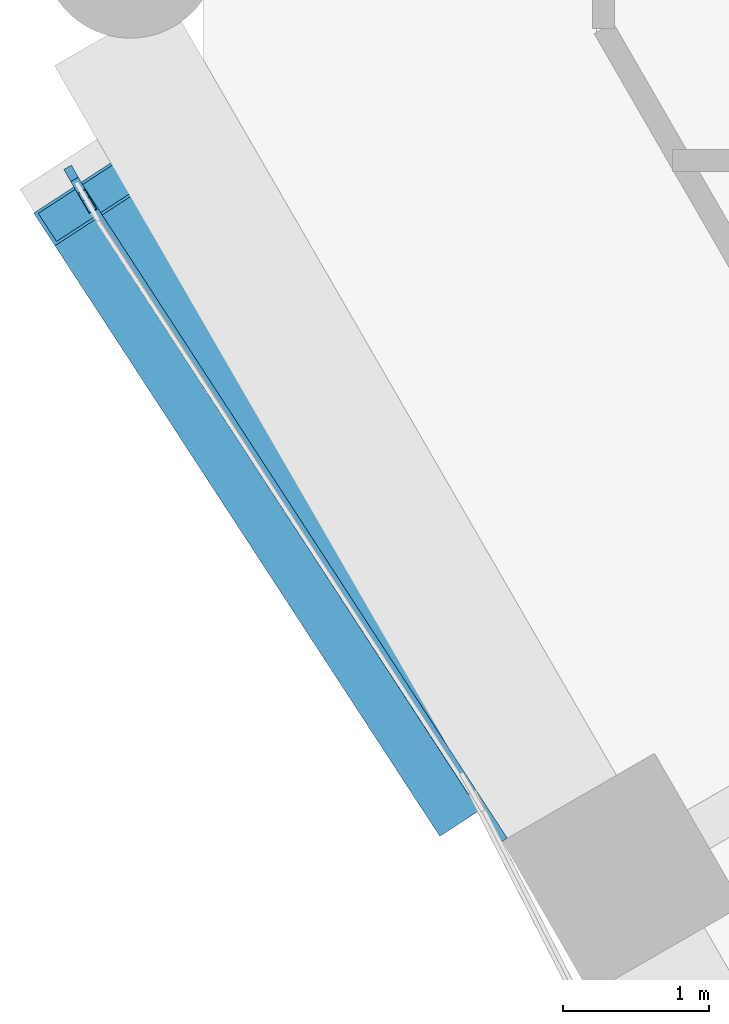
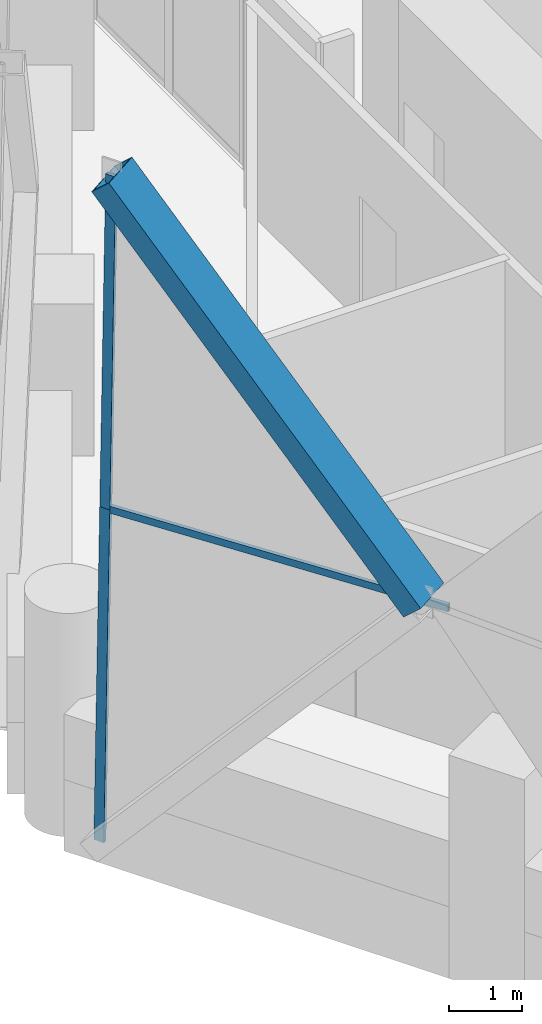
# One storey, part 11 of 38: 4 members, 2 elements without a shape of their own.
"""IFC4 building model written with IfcOpenShell, lengths in metres."""

from ifc_helpers import new_model, si_unit, direction, frame, origin, origin_2d, place, context, subcontext, project, spatial, hollow_rectangle, extrude, material, material_profile, profile_set, type_object, element, aggregate, save


model = new_model("IFC4")

# Units and contexts
model_context = context("Model", 3, precision=1e-05, world=origin(), true_north=direction((0.0, 1.0)))
body_context = subcontext(model_context, "Body", "Model", "MODEL_VIEW")
ifc_project = project(units=[si_unit("LENGTHUNIT", "METRE"), si_unit("AREAUNIT", "SQUARE_METRE"), si_unit("VOLUMEUNIT", "CUBIC_METRE"), si_unit("PLANEANGLEUNIT", "RADIAN"), si_unit("MASSUNIT", "GRAM", prefix="KILO")], contexts=[model_context])

# Site, building, storey
site_placement = place(None, origin())
site = spatial("IfcSite", under=ifc_project, at=site_placement, CompositionType="ELEMENT")
building_placement = place(site_placement, origin())
building = spatial("IfcBuilding", under=site, at=building_placement, Name="Ostrander Bayou Hotel Tower", CompositionType="ELEMENT")
storey_placement = place(building_placement, frame((0.0, 0.0, 96.75)))
storey = spatial("IfcBuildingStorey", under=building, at=storey_placement, Name="L24", CompositionType="ELEMENT", Elevation=96.75)

# Curtain wall, members
ifc_material_1 = material(Name="Aluminium and clear glass", Category="aluminium")
curtain_wall_type = type_object("IfcCurtainWallType", Name="CW-LAT lattice glazing", PredefinedType="NOTDEFINED", material=ifc_material_1)
curtain_wall_1_placement = place(storey_placement, origin())
curtain_wall_1 = element("IfcCurtainWall", 1, at=curtain_wall_1_placement, inside=storey, type_object=curtain_wall_type, Name="CW-LAT L24 SW 1", PredefinedType="NOTDEFINED")
ifc_material_2 = material(Name="Aluminium", Category="aluminium")
ifc_material_profile_1 = material_profile(ifc_material_2, hollow_rectangle(XDim=0.06005859375, YDim=0.159912109375, WallThickness=0.00390625, at=origin_2d()))
ifc_profile_set_1 = profile_set([ifc_material_profile_1], Name="Aluminium")
member_type_1 = type_object("IfcMemberType", Name="CW-LA mullion 60 x 160 mm", PredefinedType="MULLION", material=ifc_profile_set_1)
member_1_placement = place(storey_placement, frame((-22.761962890625, -1.715087890625, -0.60009765625), z_axis=(0.008418945283, -0.014581266058, 0.999858243973), x_axis=(0.866013897511, 0.50001992892, 0.0)))
member_1 = element("IfcMember", 2, at=member_1_placement, type_object=member_type_1, Name="CW-LAT mullion 1", PredefinedType="MULLION", context=body_context, shape_type="SweptSolid", body=[
    extrude(hollow_rectangle(XDim=0.06005859375, YDim=0.159912109375, WallThickness=0.00390625, at=origin_2d()), origin(), (0.0, 0.0, 1.0), 5.625732421875),
])
member_2_placement = place(storey_placement, frame((-22.714599609375, -1.797119140625, 5.02490234375), z_axis=(0.008375557002, -0.014537883916, 0.999859240081), x_axis=(0.866486855147, 0.499199889682, 0.0)))
member_2 = element("IfcMember", 3, at=member_2_placement, type_object=member_type_1, Name="CW-LAT mullion 2", PredefinedType="MULLION", context=body_context, shape_type="SweptSolid", body=[
    extrude(hollow_rectangle(XDim=0.06005859375, YDim=0.159912109375, WallThickness=0.00390625, at=origin_2d()), origin(), (0.0, 0.0, 1.0), 5.625732421875),
])
aggregate(curtain_wall_1, [member_1, member_2])

# Curtain wall, member
curtain_wall_2_placement = place(storey_placement, origin())
curtain_wall_2 = element("IfcCurtainWall", 4, at=curtain_wall_2_placement, inside=storey, type_object=curtain_wall_type, Name="CW-LAT L24 SW 2", PredefinedType="NOTDEFINED")
ifc_material_3 = material(Name="Aluminium", Category="aluminium")
ifc_material_profile_2 = material_profile(ifc_material_3, hollow_rectangle(XDim=0.06005859375, YDim=0.1201171875, WallThickness=0.00390625, at=origin_2d()))
ifc_profile_set_2 = profile_set([ifc_material_profile_2], Name="Aluminium")
member_type_2 = type_object("IfcMemberType", Name="CW-LA transom 60 x 120 mm", PredefinedType="USERDEFINED", material=ifc_profile_set_2)
member_3_placement = place(storey_placement, frame((-22.714599609375, -1.797119140625, 5.02490234375), z_axis=(0.545056332293, -0.838399424276, 0.0), x_axis=(0.838399424276, 0.545056332293, 0.0)))
member_3 = element("IfcMember", 5, at=member_3_placement, type_object=member_type_2, Name="CW-LAT transom 3", ObjectType="TRANSOM", PredefinedType="USERDEFINED", context=body_context, shape_type="SweptSolid", body=[
    extrude(hollow_rectangle(XDim=0.06005859375, YDim=0.1201171875, WallThickness=0.00390625, at=origin_2d()), origin(), (0.0, 0.0, 1.0), 5.301513671875),
])
aggregate(curtain_wall_2, [member_3])

# Member
ifc_material_4 = material(Name="Steel ASTM A572 Gr 50", Category="steel")
ifc_material_profile_3 = material_profile(ifc_material_4, hollow_rectangle(XDim=0.699951171875, YDim=0.35009765625, WallThickness=0.02490234375, at=origin_2d()))
ifc_profile_set_3 = profile_set([ifc_material_profile_3], Name="Steel ASTM A572 Gr 50")
member_type_3 = type_object("IfcMemberType", Name="LT1 lattice member box 700 x 350 x 25 mm", PredefinedType="BRACE", material=ifc_profile_set_3)
member_4_placement = place(storey_placement, frame((-20.039794921875, -5.911376953125, 5.02490234375), z_axis=(-0.354943020365, 0.544698863456, 0.759814846159), x_axis=(-0.837818412916, -0.545948996683, 0.0)))
element("IfcMember", 6, at=member_4_placement, inside=storey, type_object=member_type_3, Name="LT1 L24 SW 2", PredefinedType="BRACE", context=body_context, shape_type="SweptSolid", body=[
    extrude(hollow_rectangle(XDim=0.699951171875, YDim=0.35009765625, WallThickness=0.02490234375, at=origin_2d()), origin(), (0.0, 0.0, 1.0), 7.403076171875),
])

save(model, "model.ifc")
